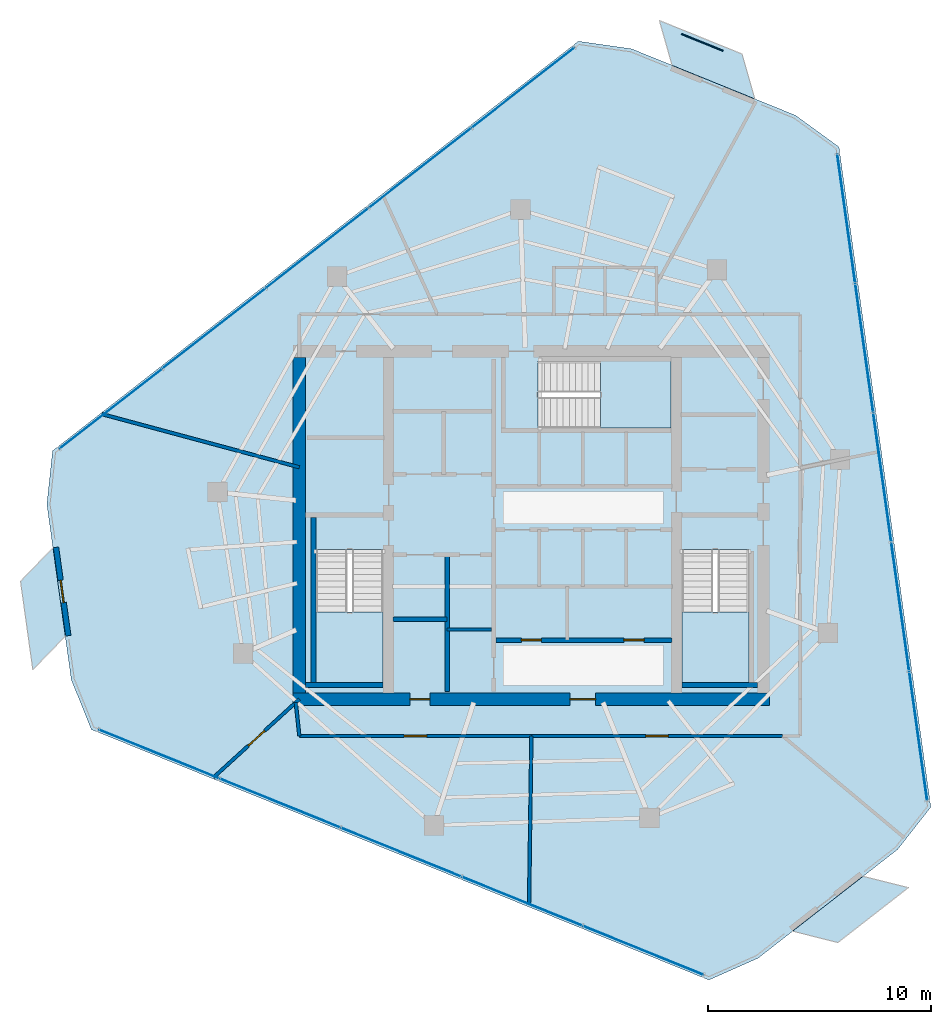
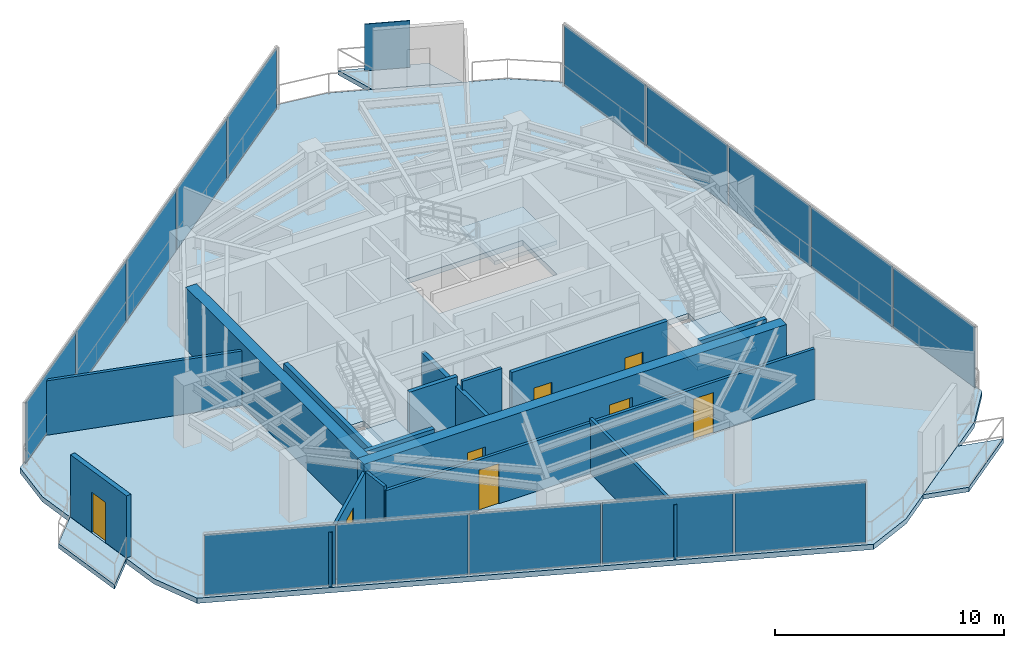
# One storey, part 15 of 19: 16 plates, 16 walls, 8 doors, 7 slabs, 8 openings, 6 elements without a shape of their own.
"""IFC4 building model written with IfcOpenShell, lengths in metres."""

from ifc_helpers import new_model, si_unit, direction, frame, frame_2d, origin, origin_2d, place, context, subcontext, project, spatial, polyline, rectangle, outline, extrude, material, layer, layer_set, type_object, element, fill, aggregate, save


model = new_model("IFC4")

# Units and contexts
model_context = context("Model", 3, precision=1e-05, world=origin(), true_north=direction((0.0, 1.0)))
body_context = subcontext(model_context, "Body", "Model", "MODEL_VIEW")
ifc_project = project(units=[si_unit("LENGTHUNIT", "METRE"), si_unit("AREAUNIT", "SQUARE_METRE"), si_unit("VOLUMEUNIT", "CUBIC_METRE"), si_unit("PLANEANGLEUNIT", "RADIAN"), si_unit("MASSUNIT", "GRAM", prefix="KILO")], contexts=[model_context])

# Site, building, storey
site_placement = place(None, origin())
site = spatial("IfcSite", under=ifc_project, at=site_placement, CompositionType="ELEMENT")
building_placement = place(site_placement, origin())
building = spatial("IfcBuilding", under=site, at=building_placement, Name="Qarnah Convention Tower", CompositionType="ELEMENT")
storey_placement = place(building_placement, frame((0.0, 0.0, 209.39990234375)))
storey = spatial("IfcBuildingStorey", under=building, at=storey_placement, Name="L56", CompositionType="ELEMENT", Elevation=209.39990234375)

# Curtain wall, plates
ifc_material_1 = material(Name="Tempered Low-E dark glass", Category="glass")
ifc_layer_1 = layer(ifc_material_1, 0.174072265625)
ifc_layer_set_1 = layer_set([ifc_layer_1], Name="Tempered Low-E dark glass")
curtain_wall_type = type_object("IfcCurtainWallType", Name="CWS-04", PredefinedType="NOTDEFINED", material=ifc_layer_set_1)
curtain_wall_1_placement = place(storey_placement, origin())
curtain_wall_1 = element("IfcCurtainWall", 1, at=curtain_wall_1_placement, inside=storey, type_object=curtain_wall_type, Name="L56 unitised curtain wall CW-L56-F1", PredefinedType="NOTDEFINED")
ifc_layer_2 = layer(ifc_material_1, 0.033935546875)
ifc_layer_set_2 = layer_set([ifc_layer_2], Name="Tempered Low-E dark glass")
plate_type_1 = type_object("IfcPlateType", Name="PNL-T4", PredefinedType="CURTAIN_PANEL", material=ifc_layer_set_2)
plate_1_placement = place(storey_placement, frame((51.314453125, 40.13671875, 0.0400390625), z_axis=(0.0, 0.0, 1.0), x_axis=(0.13780482888, -0.990459403074, 0.0)))
plate_1 = element("IfcPlate", 2, at=plate_1_placement, type_object=plate_type_1, Name="CW-L56-F1 curtain panel 1.1", PredefinedType="CURTAIN_PANEL", context=body_context, shape_type="SweptSolid", body=[
    extrude(rectangle(XDim=5.774658203125, YDim=0.033935546875, at=origin_2d()), origin(), (0.0, 0.0, 1.0), 3.239990234375),
])
plate_2_placement = place(storey_placement, frame((52.12109375, 34.337890625, 0.0400390625), z_axis=(0.0, 0.0, 1.0), x_axis=(0.13780482888, -0.990459403074, 0.0)))
plate_2 = element("IfcPlate", 3, at=plate_2_placement, type_object=plate_type_1, Name="CW-L56-F1 curtain panel 2.1", PredefinedType="CURTAIN_PANEL", context=body_context, shape_type="SweptSolid", body=[
    extrude(rectangle(XDim=5.774658203125, YDim=0.033935546875, at=origin_2d()), origin(), (0.0, 0.0, 1.0), 3.239990234375),
])
plate_3_placement = place(storey_placement, frame((52.927978515625, 28.5390625, 0.0400390625), z_axis=(0.0, 0.0, 1.0), x_axis=(0.13780482888, -0.990459403074, 0.0)))
plate_3 = element("IfcPlate", 4, at=plate_3_placement, type_object=plate_type_1, Name="CW-L56-F1 curtain panel 3.1", PredefinedType="CURTAIN_PANEL", context=body_context, shape_type="SweptSolid", body=[
    extrude(rectangle(XDim=5.774658203125, YDim=0.033935546875, at=origin_2d()), origin(), (0.0, 0.0, 1.0), 3.239990234375),
])
plate_4_placement = place(storey_placement, frame((53.73486328125, 22.740234375, 0.0400390625), z_axis=(0.0, 0.0, 1.0), x_axis=(0.13780482888, -0.990459403074, 0.0)))
plate_4 = element("IfcPlate", 5, at=plate_4_placement, type_object=plate_type_1, Name="CW-L56-F1 curtain panel 4.1", PredefinedType="CURTAIN_PANEL", context=body_context, shape_type="SweptSolid", body=[
    extrude(rectangle(XDim=5.774658203125, YDim=0.033935546875, at=origin_2d()), origin(), (0.0, 0.0, 1.0), 3.239990234375),
])
plate_5_placement = place(storey_placement, frame((54.54150390625, 16.94140625, 0.0400390625), z_axis=(0.0, 0.0, 1.0), x_axis=(0.13780482888, -0.990459403074, 0.0)))
plate_5 = element("IfcPlate", 6, at=plate_5_placement, type_object=plate_type_1, Name="CW-L56-F1 curtain panel 5.1", PredefinedType="CURTAIN_PANEL", context=body_context, shape_type="SweptSolid", body=[
    extrude(rectangle(XDim=5.774658203125, YDim=0.033935546875, at=origin_2d()), origin(), (0.0, 0.0, 1.0), 3.239990234375),
])
aggregate(curtain_wall_1, [plate_1, plate_2, plate_3, plate_4, plate_5])

curtain_wall_2_placement = place(storey_placement, origin())
curtain_wall_2 = element("IfcCurtainWall", 7, at=curtain_wall_2_placement, inside=storey, type_object=curtain_wall_type, Name="L56 unitised curtain wall CW-L56-F2", PredefinedType="NOTDEFINED")
plate_6_placement = place(storey_placement, frame((42.21240234375, 7.336181640625, 0.0400390625), z_axis=(0.0, 0.0, 1.0), x_axis=(-0.926673035434, 0.375868441612, 0.0)))
plate_6 = element("IfcPlate", 8, at=plate_6_placement, type_object=plate_type_1, Name="CW-L56-F2 curtain panel 1.1", PredefinedType="CURTAIN_PANEL", context=body_context, shape_type="SweptSolid", body=[
    extrude(rectangle(XDim=5.774658203125, YDim=0.033935546875, at=origin_2d()), origin(), (0.0, 0.0, 1.0), 3.239990234375),
])
plate_7_placement = place(storey_placement, frame((36.786865234375, 9.536865234375, 0.0400390625), z_axis=(0.0, 0.0, 1.0), x_axis=(-0.926673035434, 0.375868441612, 0.0)))
plate_7 = element("IfcPlate", 9, at=plate_7_placement, type_object=plate_type_1, Name="CW-L56-F2 curtain panel 2.1", PredefinedType="CURTAIN_PANEL", context=body_context, shape_type="SweptSolid", body=[
    extrude(rectangle(XDim=5.774658203125, YDim=0.033935546875, at=origin_2d()), origin(), (0.0, 0.0, 1.0), 3.239990234375),
])
plate_8_placement = place(storey_placement, frame((31.361572265625, 11.737548828125, 0.0400390625), z_axis=(0.0, 0.0, 1.0), x_axis=(-0.926673035434, 0.375868441612, 0.0)))
plate_8 = element("IfcPlate", 10, at=plate_8_placement, type_object=plate_type_1, Name="CW-L56-F2 curtain panel 3.1", PredefinedType="CURTAIN_PANEL", context=body_context, shape_type="SweptSolid", body=[
    extrude(rectangle(XDim=5.774658203125, YDim=0.033935546875, at=origin_2d()), origin(), (0.0, 0.0, 1.0), 3.239990234375),
])
plate_9_placement = place(storey_placement, frame((25.93603515625, 13.93798828125, 0.0400390625), z_axis=(0.0, 0.0, 1.0), x_axis=(-0.926673035434, 0.375868441612, 0.0)))
plate_9 = element("IfcPlate", 11, at=plate_9_placement, type_object=plate_type_1, Name="CW-L56-F2 curtain panel 4.1", PredefinedType="CURTAIN_PANEL", context=body_context, shape_type="SweptSolid", body=[
    extrude(rectangle(XDim=5.774658203125, YDim=0.033935546875, at=origin_2d()), origin(), (0.0, 0.0, 1.0), 3.239990234375),
])
plate_10_placement = place(storey_placement, frame((20.5107421875, 16.138671875, 0.0400390625), z_axis=(0.0, 0.0, 1.0), x_axis=(-0.926673035434, 0.375868441612, 0.0)))
plate_10 = element("IfcPlate", 12, at=plate_10_placement, type_object=plate_type_1, Name="CW-L56-F2 curtain panel 5.1", PredefinedType="CURTAIN_PANEL", context=body_context, shape_type="SweptSolid", body=[
    extrude(rectangle(XDim=5.774658203125, YDim=0.033935546875, at=origin_2d()), origin(), (0.0, 0.0, 1.0), 3.239990234375),
])
aggregate(curtain_wall_2, [plate_6, plate_7, plate_8, plate_9, plate_10])

curtain_wall_3_placement = place(storey_placement, origin())
curtain_wall_3 = element("IfcCurtainWall", 13, at=curtain_wall_3_placement, inside=storey, type_object=curtain_wall_type, Name="L56 unitised curtain wall CW-L56-F3", PredefinedType="NOTDEFINED")
plate_11_placement = place(storey_placement, frame((18.357421875, 31.6201171875, 0.0400390625), z_axis=(0.0, 0.0, 1.0), x_axis=(0.788875563731, 0.614552963501, 0.0)))
plate_11 = element("IfcPlate", 14, at=plate_11_placement, type_object=plate_type_1, Name="CW-L56-F3 curtain panel 1.1", PredefinedType="CURTAIN_PANEL", context=body_context, shape_type="SweptSolid", body=[
    extrude(rectangle(XDim=5.774658203125, YDim=0.033935546875, at=origin_2d()), origin(), (0.0, 0.0, 1.0), 3.239990234375),
])
plate_12_placement = place(storey_placement, frame((22.975830078125, 35.218017578125, 0.0400390625), z_axis=(0.0, 0.0, 1.0), x_axis=(0.788875563731, 0.614552963501, 0.0)))
plate_12 = element("IfcPlate", 15, at=plate_12_placement, type_object=plate_type_1, Name="CW-L56-F3 curtain panel 2.1", PredefinedType="CURTAIN_PANEL", context=body_context, shape_type="SweptSolid", body=[
    extrude(rectangle(XDim=5.774658203125, YDim=0.033935546875, at=origin_2d()), origin(), (0.0, 0.0, 1.0), 3.239990234375),
])
plate_13_placement = place(storey_placement, frame((27.594482421875, 38.81591796875, 0.0400390625), z_axis=(0.0, 0.0, 1.0), x_axis=(0.788875563731, 0.614552963501, 0.0)))
plate_13 = element("IfcPlate", 16, at=plate_13_placement, type_object=plate_type_1, Name="CW-L56-F3 curtain panel 3.1", PredefinedType="CURTAIN_PANEL", context=body_context, shape_type="SweptSolid", body=[
    extrude(rectangle(XDim=5.774658203125, YDim=0.033935546875, at=origin_2d()), origin(), (0.0, 0.0, 1.0), 3.239990234375),
])
plate_14_placement = place(storey_placement, frame((32.213134765625, 42.4140625, 0.0400390625), z_axis=(0.0, 0.0, 1.0), x_axis=(0.788875563731, 0.614552963501, 0.0)))
plate_14 = element("IfcPlate", 17, at=plate_14_placement, type_object=plate_type_1, Name="CW-L56-F3 curtain panel 4.1", PredefinedType="CURTAIN_PANEL", context=body_context, shape_type="SweptSolid", body=[
    extrude(rectangle(XDim=5.774658203125, YDim=0.033935546875, at=origin_2d()), origin(), (0.0, 0.0, 1.0), 3.239990234375),
])
plate_15_placement = place(storey_placement, frame((36.831787109375, 46.011962890625, 0.0400390625), z_axis=(0.0, 0.0, 1.0), x_axis=(0.788875563731, 0.614552963501, 0.0)))
plate_15 = element("IfcPlate", 18, at=plate_15_placement, type_object=plate_type_1, Name="CW-L56-F3 curtain panel 5.1", PredefinedType="CURTAIN_PANEL", context=body_context, shape_type="SweptSolid", body=[
    extrude(rectangle(XDim=5.774658203125, YDim=0.033935546875, at=origin_2d()), origin(), (0.0, 0.0, 1.0), 3.239990234375),
])
aggregate(curtain_wall_3, [plate_11, plate_12, plate_13, plate_14, plate_15])

# Plate
ifc_material_2 = material(Name="Black anodised aluminium", Category="aluminium")
ifc_layer_3 = layer(ifc_material_2, 0.044921875)
ifc_layer_set_3 = layer_set([ifc_layer_3], Name="Black anodised aluminium")
plate_type_2 = type_object("IfcPlateType", Name="SCR-BAL-18", PredefinedType="USERDEFINED", material=ifc_layer_set_3)
plate_16_placement = place(storey_placement, frame((44.85498046875, 48.0380859375, 0.0), z_axis=(0.0, 0.0, 1.0), x_axis=(0.92672483863, -0.375740699773, 0.0)))
element("IfcPlate", 19, at=plate_16_placement, inside=storey, type_object=plate_type_2, Name="L56 perforated desert solar screen BAL-L56-C1", ObjectType="SCREEN", PredefinedType="USERDEFINED", context=body_context, shape_type="SweptSolid", body=[
    extrude(rectangle(XDim=2.0, YDim=0.044921875, at=origin_2d()), origin(), (0.0, 0.0, 1.0), 2.5),
])

# Slabs
ifc_material_3 = material(Name="Concrete C45/55", Category="concrete")
ifc_layer_4 = layer(ifc_material_3, 0.239990234375)
ifc_layer_set_4 = layer_set([ifc_layer_4], Name="Concrete C45/55")
slab_type_1 = type_object("IfcSlabType", Name="SLB-BAL-240", PredefinedType="USERDEFINED", material=ifc_layer_set_4)
slab_1_placement = place(storey_placement, frame((0.0, 0.0, -0.239990234375)))
element("IfcSlab", 20, at=slab_1_placement, inside=storey, type_object=slab_type_1, Name="L56 cantilevered balcony slab BAL-L56-C1", ObjectType="BALCONY", PredefinedType="USERDEFINED", context=body_context, shape_type="SweptSolid", body=[
    extrude(outline(polyline([(42.93603515625, 49.02001953125), (46.64306640625, 47.51708984375), (47.217041015625, 45.50390625), (43.510009765625, 47.008056640625), (42.93603515625, 49.02001953125)])), origin(), (0.0, 0.0, 1.0), 0.239990234375),
])
slab_2_placement = place(storey_placement, frame((0.0, 0.0, -0.239990234375)))
element("IfcSlab", 21, at=slab_2_placement, inside=storey, type_object=slab_type_1, Name="L56 cantilevered balcony slab BAL-L56-C2", ObjectType="BALCONY", PredefinedType="USERDEFINED", context=body_context, shape_type="SweptSolid", body=[
    extrude(outline(polyline([(14.85302734375, 19.9208984375), (14.302001953125, 23.883056640625), (15.758056640625, 25.385986328125), (16.30908203125, 21.424072265625), (14.85302734375, 19.9208984375)])), origin(), (0.0, 0.0, 1.0), 0.239990234375),
])
slab_3_placement = place(storey_placement, frame((0.0, 0.0, -0.239990234375)))
element("IfcSlab", 22, at=slab_3_placement, inside=storey, type_object=slab_type_1, Name="L56 cantilevered balcony slab BAL-L56-C3", ObjectType="BALCONY", PredefinedType="USERDEFINED", context=body_context, shape_type="SweptSolid", body=[
    extrude(outline(polyline([(54.094970703125, 10.14990234375), (50.93994140625, 7.69189453125), (48.909912109375, 8.201904296875), (52.06591796875, 10.659912109375), (54.094970703125, 10.14990234375)])), origin(), (0.0, 0.0, 1.0), 0.239990234375),
])

# Stair, slab
ifc_material_4 = material(Name="Concrete C50/60", Category="concrete")
stair_type = type_object("IfcStairType", Name="STR-OFF", PredefinedType="HALF_TURN_STAIR", material=ifc_material_4)
stair_1_placement = place(storey_placement, origin())
stair_1 = element("IfcStair", 23, at=stair_1_placement, inside=storey, type_object=stair_type, Name="L56 Core exit stair ST-1", PredefinedType="HALF_TURN_STAIR")
ifc_layer_5 = layer(ifc_material_4, 0.199951171875)
ifc_layer_set_5 = layer_set([ifc_layer_5], Name="Concrete C50/60")
slab_type_2 = type_object("IfcSlabType", Name="SLB-LANDING-200", PredefinedType="LANDING", material=ifc_layer_set_5)
slab_4_placement = place(storey_placement, frame((0.0, 0.0, 1.60009765625)))
slab_4 = element("IfcSlab", 24, at=slab_4_placement, type_object=slab_type_2, Name="ST-1 landing 1", PredefinedType="LANDING", context=body_context, shape_type="SweptSolid", body=[
    extrude(outline(polyline([(27.550048828125, 22.5), (27.550048828125, 19.35009765625), (30.550048828125, 19.35009765625), (30.550048828125, 22.5), (27.550048828125, 22.5)])), origin(), (0.0, 0.0, 1.0), 0.199951171875),
])
aggregate(stair_1, [slab_4])

stair_2_placement = place(storey_placement, origin())
stair_2 = element("IfcStair", 25, at=stair_2_placement, inside=storey, type_object=stair_type, Name="L56 Core exit stair ST-2", PredefinedType="HALF_TURN_STAIR")
slab_5_placement = place(storey_placement, frame((0.0, 0.0, 1.60009765625)))
slab_5 = element("IfcSlab", 26, at=slab_5_placement, type_object=slab_type_2, Name="ST-2 landing 1", PredefinedType="LANDING", context=body_context, shape_type="SweptSolid", body=[
    extrude(outline(polyline([(43.949951171875, 22.5), (43.949951171875, 19.35009765625), (46.949951171875, 19.35009765625), (46.949951171875, 22.5), (43.949951171875, 22.5)])), origin(), (0.0, 0.0, 1.0), 0.199951171875),
])
aggregate(stair_2, [slab_5])

stair_3_placement = place(storey_placement, origin())
stair_3 = element("IfcStair", 27, at=stair_3_placement, inside=storey, type_object=stair_type, Name="L56 Core exit stair ST-3", PredefinedType="HALF_TURN_STAIR")
slab_6_placement = place(storey_placement, frame((0.0, 0.0, 1.60009765625)))
slab_6 = element("IfcSlab", 28, at=slab_6_placement, type_object=slab_type_2, Name="ST-3 landing 1", PredefinedType="LANDING", context=body_context, shape_type="SweptSolid", body=[
    extrude(outline(polyline([(40.300048828125, 30.75), (43.449951171875, 30.75), (43.449951171875, 33.75), (40.300048828125, 33.75), (40.300048828125, 30.75)])), origin(), (0.0, 0.0, 1.0), 0.199951171875),
])
aggregate(stair_3, [slab_6])

# Slab
ifc_layer_6 = layer(ifc_material_3, 0.280029296875)
ifc_layer_set_6 = layer_set([ifc_layer_6], Name="Concrete C45/55")
slab_type_3 = type_object("IfcSlabType", Name="SLB-TWR-280", PredefinedType="FLOOR", material=ifc_layer_set_6)
slab_7_placement = place(storey_placement, frame((0.0, 0.0, -0.27978515625)))
element("IfcSlab", 29, at=slab_7_placement, inside=storey, type_object=slab_type_3, Name="L56 structural floor slab", PredefinedType="FLOOR", context=body_context, shape_type="SweptSolid", body=[
    extrude(outline(polyline([(39.303955078125, 48.090087890625), (15.738037109375, 29.73095703125), (15.48291015625, 27.3349609375), (16.575927734375, 19.47607421875), (17.47509765625, 17.240966796875), (45.157958984375, 6.011962890625), (47.360107421875, 6.989013671875), (53.6201171875, 11.864990234375), (55.10498046875, 13.760986328125), (50.989013671875, 43.35009765625), (49.0419921875, 44.76806640625), (41.68896484375, 47.7509765625), (39.303955078125, 48.090087890625)]), holes=[polyline([(27.550048828125, 25.300048828125), (27.550048828125, 19.35009765625), (30.550048828125, 19.35009765625), (30.550048828125, 25.300048828125), (27.550048828125, 25.300048828125)]), polyline([(43.949951171875, 25.300048828125), (43.949951171875, 19.35009765625), (46.949951171875, 19.35009765625), (46.949951171875, 25.300048828125), (43.949951171875, 25.300048828125)]), polyline([(37.5, 30.75), (43.449951171875, 30.75), (43.449951171875, 33.75), (37.5, 33.75), (37.5, 30.75)])]), origin(), (0.0, 0.0, 1.0), 0.27978515625),
])

# Wall, openings, doors
ifc_material_5 = material(Name="Concrete C60/75", Category="concrete")
ifc_layer_7 = layer(ifc_material_5, 0.550048828125)
ifc_layer_set_7 = layer_set([ifc_layer_7], Name="Concrete C60/75")
wall_type_1 = type_object("IfcWallType", Name="WL-CORE-550", PredefinedType="SHEAR", material=ifc_layer_set_7)
wall_1_placement = place(storey_placement, frame((26.52490234375, 18.60009765625, 0.0), z_axis=(0.0, 0.0, 1.0), x_axis=(1.0, 0.0, 0.0)))
wall_1 = element("IfcWall", 30, at=wall_1_placement, inside=storey, type_object=wall_type_1, Name="L56 core south shear wall", PredefinedType="SHEAR", context=body_context, shape_type="SweptSolid", body=[
    extrude(rectangle(XDim=21.35009765625, YDim=0.550048828125, at=frame_2d((10.675048828125, 0.0))), origin(), (0.0, 0.0, 1.0), 3.320068359375),
])
opening_1_placement = place(wall_1_placement, frame((12.39990234375, 0.0, 0.0)))
opening_1 = element("IfcOpeningElement", 31, at=opening_1_placement, cuts=wall_1, Name="Opening D-5607", PredefinedType="OPENING", context=body_context, shape_type="SweptSolid", body=[
    extrude(rectangle(XDim=1.14990234375, YDim=2.14990234375, at=frame_2d((0.574951171875, 1.074951171875))), frame((0.0, 0.284912109375, 0.0), z_axis=(0.0, -1.0, 0.0), x_axis=(1.0, 0.0, 0.0)), (0.0, 0.0, 1.0), 0.570068359375),
])
opening_2_placement = place(wall_1_placement, frame((5.22509765625, 0.0, 0.0)))
opening_2 = element("IfcOpeningElement", 32, at=opening_2_placement, cuts=wall_1, Name="Opening D-5613", PredefinedType="OPENING", context=body_context, shape_type="SweptSolid", body=[
    extrude(rectangle(XDim=0.89990234375, YDim=2.10009765625, at=frame_2d((0.449951171875, 1.050048828125))), frame((0.0, 0.284912109375, 0.0), z_axis=(0.0, -1.0, 0.0), x_axis=(1.0, 0.0, 0.0)), (0.0, 0.0, 1.0), 0.570068359375),
])
ifc_material_6 = material(Name="Structural steel S355JR", Category="steel")
door_type_1 = type_object("IfcDoorType", Name="DT-LOBBY-1150", OperationType="NOTDEFINED", PredefinedType="DOOR", material=ifc_material_6)
door_1_placement = place(opening_1_placement, origin())
door_1 = element("IfcDoor", 33, at=door_1_placement, inside=storey, type_object=door_type_1, Name="Door D-5607", OperationType="SINGLE_SWING_LEFT", OverallHeight=2.14990234375, OverallWidth=1.14990234375, PredefinedType="DOOR", context=body_context, shape_type="SweptSolid", body=[
    extrude(rectangle(XDim=1.14990234375, YDim=2.14990234375, at=frame_2d((0.574951171875, 1.074951171875))), frame((0.0, 0.02490234375, 0.0), z_axis=(0.0, -1.0, 0.0), x_axis=(1.0, 0.0, 0.0)), (0.0, 0.0, 1.0), 0.050048828125),
])
fill(opening_1, door_1)
door_type_2 = type_object("IfcDoorType", Name="DT-RISER-900", OperationType="NOTDEFINED", PredefinedType="DOOR", material=ifc_material_6)
door_2_placement = place(opening_2_placement, origin())
door_2 = element("IfcDoor", 34, at=door_2_placement, inside=storey, type_object=door_type_2, Name="Door D-5613", OperationType="SINGLE_SWING_LEFT", OverallHeight=2.10009765625, OverallWidth=0.89990234375, PredefinedType="DOOR", context=body_context, shape_type="SweptSolid", body=[
    extrude(rectangle(XDim=0.89990234375, YDim=2.10009765625, at=frame_2d((0.449951171875, 1.050048828125))), frame((0.0, 0.02490234375, 0.0), z_axis=(0.0, -1.0, 0.0), x_axis=(1.0, 0.0, 0.0)), (0.0, 0.0, 1.0), 0.050048828125),
])
fill(opening_2, door_2)

# Walls
wall_2_placement = place(storey_placement, frame((26.800048828125, 18.875, 0.0), z_axis=(0.0, 0.0, 1.0), x_axis=(0.0, 1.0, 0.0)))
element("IfcWall", 35, at=wall_2_placement, inside=storey, type_object=wall_type_1, Name="L56 core west shear wall", PredefinedType="SHEAR", context=body_context, shape_type="SweptSolid", body=[
    extrude(rectangle(XDim=15.050048828125, YDim=0.550048828125, at=frame_2d((7.52490234375, 0.0))), origin(), (0.0, 0.0, 1.0), 3.320068359375),
])
ifc_layer_8 = layer(ifc_material_3, 0.199951171875)
ifc_layer_set_8 = layer_set([ifc_layer_8], Name="Concrete C45/55")
wall_type_2 = type_object("IfcWallType", Name="WL-CORE-PART-200", PredefinedType="SOLIDWALL", material=ifc_layer_set_8)
wall_3_placement = place(storey_placement, frame((33.419921875, 18.949951171875, 0.0), z_axis=(0.0, 0.0, 1.0), x_axis=(0.0, 1.0, 0.0)))
element("IfcWall", 36, at=wall_3_placement, inside=storey, type_object=wall_type_2, Name="L56 interior wall IW-L56-SVLE", PredefinedType="SOLIDWALL", context=body_context, shape_type="SweptSolid", body=[
    extrude(rectangle(XDim=6.130126953125, YDim=0.199951171875, at=frame_2d((3.06494140625, 0.0))), origin(), (0.0, 0.0, 1.0), 2.841064453125),
])
wall_4_placement = place(storey_placement, frame((31.0, 22.179931640625, 0.0), z_axis=(0.0, 0.0, 1.0), x_axis=(1.0, 0.0, 0.0)))
element("IfcWall", 37, at=wall_4_placement, inside=storey, type_object=wall_type_2, Name="L56 interior wall IW-L56-SVLS", PredefinedType="SOLIDWALL", context=body_context, shape_type="SweptSolid", body=[
    extrude(rectangle(XDim=2.419921875, YDim=0.199951171875, at=frame_2d((1.2099609375, 0.0))), origin(), (0.0, 0.0, 1.0), 3.320068359375),
])

# Wall, openings, doors
wall_5_placement = place(storey_placement, frame((35.6201171875, 21.25, 0.0), z_axis=(0.0, 0.0, 1.0), x_axis=(1.0, 0.0, 0.0)))
wall_5 = element("IfcWall", 38, at=wall_5_placement, inside=storey, type_object=wall_type_2, Name="L56 interior wall IW-L56-PLS", PredefinedType="SOLIDWALL", context=body_context, shape_type="SweptSolid", body=[
    extrude(rectangle(XDim=7.8798828125, YDim=0.199951171875, at=frame_2d((3.93994140625, 0.0))), origin(), (0.0, 0.0, 1.0), 3.320068359375),
])
opening_3_placement = place(wall_5_placement, frame((1.1298828125, 0.0, 0.0)))
opening_3 = element("IfcOpeningElement", 39, at=opening_3_placement, cuts=wall_5, Name="Opening D-5616", PredefinedType="OPENING", context=body_context, shape_type="SweptSolid", body=[
    extrude(rectangle(XDim=0.89990234375, YDim=2.10009765625, at=frame_2d((0.449951171875, 1.050048828125))), frame((0.0, 0.10986328125, 0.0), z_axis=(0.0, -1.0, 0.0), x_axis=(1.0, 0.0, 0.0)), (0.0, 0.0, 1.0), 0.219970703125),
])
opening_4_placement = place(wall_5_placement, frame((5.72998046875, 0.0, 0.0)))
opening_4 = element("IfcOpeningElement", 40, at=opening_4_placement, cuts=wall_5, Name="Opening D-5617", PredefinedType="OPENING", context=body_context, shape_type="SweptSolid", body=[
    extrude(rectangle(XDim=0.89990234375, YDim=2.10009765625, at=frame_2d((0.449951171875, 1.050048828125))), frame((0.0, 0.10986328125, 0.0), z_axis=(0.0, -1.0, 0.0), x_axis=(1.0, 0.0, 0.0)), (0.0, 0.0, 1.0), 0.219970703125),
])
door_3_placement = place(opening_3_placement, origin())
door_3 = element("IfcDoor", 41, at=door_3_placement, inside=storey, type_object=door_type_2, Name="Door D-5616", OperationType="SINGLE_SWING_RIGHT", OverallHeight=2.10009765625, OverallWidth=0.89990234375, PredefinedType="DOOR", context=body_context, shape_type="SweptSolid", body=[
    extrude(rectangle(XDim=0.89990234375, YDim=2.10009765625, at=frame_2d((0.449951171875, 1.050048828125))), frame((0.0, 0.02490234375, 0.0), z_axis=(0.0, -1.0, 0.0), x_axis=(1.0, 0.0, 0.0)), (0.0, 0.0, 1.0), 0.050048828125),
])
fill(opening_3, door_3)
door_4_placement = place(opening_4_placement, origin())
door_4 = element("IfcDoor", 42, at=door_4_placement, inside=storey, type_object=door_type_2, Name="Door D-5617", OperationType="SINGLE_SWING_LEFT", OverallHeight=2.10009765625, OverallWidth=0.89990234375, PredefinedType="DOOR", context=body_context, shape_type="SweptSolid", body=[
    extrude(rectangle(XDim=0.89990234375, YDim=2.10009765625, at=frame_2d((0.449951171875, 1.050048828125))), frame((0.0, 0.02490234375, 0.0), z_axis=(0.0, -1.0, 0.0), x_axis=(1.0, 0.0, 0.0)), (0.0, 0.0, 1.0), 0.050048828125),
])
fill(opening_4, door_4)

# Walls
ifc_layer_9 = layer(ifc_material_5, 0.219970703125)
ifc_layer_set_9 = layer_set([ifc_layer_9], Name="Concrete C60/75")
wall_type_3 = type_object("IfcWallType", Name="WL-CORE-STAIR-220", PredefinedType="SHEAR", material=ifc_layer_set_9)
wall_6_placement = place(storey_placement, frame((27.43994140625, 19.35009765625, 0.0), z_axis=(0.0, 0.0, 1.0), x_axis=(0.0, 1.0, 0.0)))
element("IfcWall", 43, at=wall_6_placement, inside=storey, type_object=wall_type_3, Name="L56 stair shaft shear wall SW-L56-ST1W", PredefinedType="SHEAR", context=body_context, shape_type="SweptSolid", body=[
    extrude(rectangle(XDim=7.39990234375, YDim=0.219970703125, at=frame_2d((3.699951171875, 0.0))), origin(), (0.0, 0.0, 1.0), 3.320068359375),
])
wall_7_placement = place(storey_placement, frame((27.074951171875, 19.239990234375, 0.0), z_axis=(0.0, 0.0, 1.0), x_axis=(1.0, 0.0, 0.0)))
element("IfcWall", 44, at=wall_7_placement, inside=storey, type_object=wall_type_3, Name="L56 stair shaft shear wall SW-L56-ST1S", PredefinedType="SHEAR", context=body_context, shape_type="SweptSolid", body=[
    extrude(rectangle(XDim=3.47509765625, YDim=0.219970703125, at=frame_2d((1.737548828125, 0.0))), origin(), (0.0, 0.0, 1.0), 3.320068359375),
])
wall_8_placement = place(storey_placement, frame((43.949951171875, 19.239990234375, 0.0), z_axis=(0.0, 0.0, 1.0), x_axis=(1.0, 0.0, 0.0)))
element("IfcWall", 45, at=wall_8_placement, inside=storey, type_object=wall_type_3, Name="L56 stair shaft shear wall SW-L56-ST2S", PredefinedType="SHEAR", context=body_context, shape_type="SweptSolid", body=[
    extrude(rectangle(XDim=3.375, YDim=0.219970703125, at=frame_2d((1.6875, 0.0))), origin(), (0.0, 0.0, 1.0), 3.320068359375),
])

# Wall, opening, door
ifc_material_7 = material(Name="Precast concrete C45/55", Category="concrete")
ifc_layer_10 = layer(ifc_material_7, 0.239990234375)
ifc_layer_set_10 = layer_set([ifc_layer_10], Name="Precast concrete C45/55")
wall_type_4 = type_object("IfcWallType", Name="WL-EXT-BAL-240", PredefinedType="SOLIDWALL", material=ifc_layer_set_10)
wall_9_placement = place(storey_placement, frame((16.444091796875, 21.444091796875, 0.0), z_axis=(0.0, 0.0, 1.0), x_axis=(-0.137754660087, 0.990466381875, 0.0)))
wall_9 = element("IfcWall", 46, at=wall_9_placement, inside=storey, type_object=wall_type_4, Name="L56 loggia threshold wall BAL-L56-C2", PredefinedType="SOLIDWALL", context=body_context, shape_type="SweptSolid", body=[
    extrude(rectangle(XDim=4.0, YDim=0.239990234375, at=frame_2d((2.0, 0.0))), origin(), (0.0, 0.0, 1.0), 3.320068359375),
])
opening_5_placement = place(wall_9_placement, frame((1.5, 0.0, 0.0)))
opening_5 = element("IfcOpeningElement", 47, at=opening_5_placement, cuts=wall_9, Name="Opening BD-5602", PredefinedType="OPENING", context=body_context, shape_type="SweptSolid", body=[
    extrude(rectangle(XDim=1.0, YDim=2.14990234375, at=frame_2d((0.5, 1.074951171875))), frame((0.0, 0.1298828125, 0.0), z_axis=(0.0, -1.0, 0.0), x_axis=(1.0, 0.0, 0.0)), (0.0, 0.0, 1.0), 0.260009765625),
])
door_type_3 = type_object("IfcDoorType", Name="DT-BAL-1000", OperationType="NOTDEFINED", PredefinedType="DOOR", material=ifc_material_2)
door_5_placement = place(opening_5_placement, origin())
door_5 = element("IfcDoor", 48, at=door_5_placement, inside=storey, type_object=door_type_3, Name="L56 balcony terrace door BAL-L56-C2", OperationType="SINGLE_SWING_RIGHT", OverallHeight=2.14990234375, OverallWidth=1.0, PredefinedType="DOOR", context=body_context, shape_type="SweptSolid", body=[
    extrude(rectangle(XDim=1.0, YDim=2.14990234375, at=frame_2d((0.5, 1.074951171875))), frame((0.0, 0.02490234375, 0.0), z_axis=(0.0, -1.0, 0.0), x_axis=(1.0, 0.0, 0.0)), (0.0, 0.0, 1.0), 0.050048828125),
])
fill(opening_5, door_5)

# Walls
ifc_material_8 = material(Name="Gypsum partition board")
ifc_layer_11 = layer(ifc_material_8, 0.14990234375)
ifc_layer_set_11 = layer_set([ifc_layer_11], Name="Gypsum partition board")
wall_type_5 = type_object("IfcWallType", Name="WL-SUITE-150", PredefinedType="PARTITIONING", material=ifc_layer_set_11)
wall_10_placement = place(storey_placement, frame((33.419921875, 21.719970703125, 0.0), z_axis=(0.0, 0.0, 1.0), x_axis=(1.0, 0.0, 0.0)))
element("IfcWall", 49, at=wall_10_placement, inside=storey, type_object=wall_type_5, Name="L56 interior wall IW-L56-CSV1", PredefinedType="PARTITIONING", context=body_context, shape_type="SweptSolid", body=[
    extrude(rectangle(XDim=2.0, YDim=0.14990234375, at=frame_2d((1.0, 0.0))), origin(), (0.0, 0.0, 1.0), 3.320068359375),
])
wall_11_placement = place(storey_placement, frame((17.951904296875, 31.3759765625, 0.0), z_axis=(0.0, 0.0, 1.0), x_axis=(0.965592088272, -0.260061375576, 0.0)))
element("IfcWall", 50, at=wall_11_placement, inside=storey, type_object=wall_type_5, Name="L56 interior wall IW-L56-R-16", PredefinedType="PARTITIONING", context=body_context, shape_type="SweptSolid", body=[
    extrude(rectangle(XDim=9.163330078125, YDim=0.14990234375, at=frame_2d((4.58154296875, 0.0))), origin(), (0.0, 0.0, 1.0), 2.905029296875),
])

# Wall, opening, door
wall_12_placement = place(storey_placement, frame((22.955078125, 15.093994140625, 0.0), z_axis=(0.0, 0.0, 1.0), x_axis=(0.738918055368, 0.673795300853, 0.0)))
wall_12 = element("IfcWall", 51, at=wall_12_placement, inside=storey, type_object=wall_type_5, Name="L56 interior wall IW-L56-R-19", PredefinedType="PARTITIONING", context=body_context, shape_type="SweptSolid", body=[
    extrude(rectangle(XDim=5.20361328125, YDim=0.14990234375, at=frame_2d((2.601806640625, 0.0))), origin(), (0.0, 0.0, 1.0), 2.905029296875),
])
opening_6_placement = place(wall_12_placement, frame((2.10205078125, 0.0, 0.0)))
opening_6 = element("IfcOpeningElement", 52, at=opening_6_placement, cuts=wall_12, Name="Opening D-5623", PredefinedType="OPENING", context=body_context, shape_type="SweptSolid", body=[
    extrude(rectangle(XDim=1.0, YDim=2.14990234375, at=frame_2d((0.5, 1.074951171875))), frame((0.0, 0.0849609375, 0.0), z_axis=(0.0, -1.0, 0.0), x_axis=(1.0, 0.0, 0.0)), (0.0, 0.0, 1.0), 0.169921875),
])
ifc_material_9 = material(Name="Oak timber veneer", Category="wood")
door_type_4 = type_object("IfcDoorType", Name="DT-OFFICE-1000", OperationType="NOTDEFINED", PredefinedType="DOOR", material=ifc_material_9)
door_6_placement = place(opening_6_placement, origin())
door_6 = element("IfcDoor", 53, at=door_6_placement, inside=storey, type_object=door_type_4, Name="Door D-5623", OperationType="SINGLE_SWING_LEFT", OverallHeight=2.14990234375, OverallWidth=1.0, PredefinedType="DOOR", context=body_context, shape_type="SweptSolid", body=[
    extrude(rectangle(XDim=1.0, YDim=2.14990234375, at=frame_2d((0.5, 1.074951171875))), frame((0.0, 0.02490234375, 0.0), z_axis=(0.0, -1.0, 0.0), x_axis=(1.0, 0.0, 0.0)), (0.0, 0.0, 1.0), 0.050048828125),
])
fill(opening_6, door_6)

# Wall
wall_13_placement = place(storey_placement, frame((37.094970703125, 9.363037109375, 0.0), z_axis=(0.0, 0.0, 1.0), x_axis=(0.013835720208, 0.999904281842, 0.0)))
element("IfcWall", 54, at=wall_13_placement, inside=storey, type_object=wall_type_5, Name="L56 interior wall IW-L56-R-20", PredefinedType="PARTITIONING", context=body_context, shape_type="SweptSolid", body=[
    extrude(rectangle(XDim=7.587646484375, YDim=0.14990234375, at=frame_2d((3.7939453125, 0.0))), origin(), (0.0, 0.0, 1.0), 2.905029296875),
])

# Wall, opening, door
wall_14_placement = place(storey_placement, frame((37.199951171875, 16.949951171875, 0.0), z_axis=(0.0, 0.0, 1.0), x_axis=(-1.0, 0.0, 0.0)))
wall_14 = element("IfcWall", 55, at=wall_14_placement, inside=storey, type_object=wall_type_5, Name="L56 interior wall IW-L56-R-21", PredefinedType="PARTITIONING", context=body_context, shape_type="SweptSolid", body=[
    extrude(rectangle(XDim=10.39990234375, YDim=0.14990234375, at=frame_2d((5.199951171875, 0.0))), origin(), (0.0, 0.0, 1.0), 2.697021484375),
])
opening_7_placement = place(wall_14_placement, frame((4.699951171875, 0.0, 0.0)))
opening_7 = element("IfcOpeningElement", 56, at=opening_7_placement, cuts=wall_14, Name="Opening D-5624", PredefinedType="OPENING", context=body_context, shape_type="SweptSolid", body=[
    extrude(rectangle(XDim=1.0, YDim=2.14990234375, at=frame_2d((0.5, 1.074951171875))), frame((0.0, 0.0849609375, 0.0), z_axis=(0.0, -1.0, 0.0), x_axis=(1.0, 0.0, 0.0)), (0.0, 0.0, 1.0), 0.169921875),
])
door_7_placement = place(opening_7_placement, origin())
door_7 = element("IfcDoor", 57, at=door_7_placement, inside=storey, type_object=door_type_4, Name="Door D-5624", OperationType="SINGLE_SWING_RIGHT", OverallHeight=2.14990234375, OverallWidth=1.0, PredefinedType="DOOR", context=body_context, shape_type="SweptSolid", body=[
    extrude(rectangle(XDim=1.0, YDim=2.14990234375, at=frame_2d((0.5, 1.074951171875))), frame((0.0, 0.02490234375, 0.0), z_axis=(0.0, -1.0, 0.0), x_axis=(1.0, 0.0, 0.0)), (0.0, 0.0, 1.0), 0.050048828125),
])
fill(opening_7, door_7)

# Wall
wall_15_placement = place(storey_placement, frame((26.800048828125, 16.949951171875, 0.0), z_axis=(0.0, 0.0, 1.0), x_axis=(-0.107309146026, 0.994225702333, 0.0)))
element("IfcWall", 58, at=wall_15_placement, inside=storey, type_object=wall_type_5, Name="L56 interior wall IW-L56-R-22", PredefinedType="PARTITIONING", context=body_context, shape_type="SweptSolid", body=[
    extrude(rectangle(XDim=1.5107421875, YDim=0.14990234375, at=frame_2d((0.75537109375, 0.0))), origin(), (0.0, 0.0, 1.0), 2.905029296875),
])

# Wall, opening, door
wall_16_placement = place(storey_placement, frame((48.4619140625, 16.949951171875, 0.0), z_axis=(0.0, 0.0, 1.0), x_axis=(-1.0, 0.0, 0.0)))
wall_16 = element("IfcWall", 59, at=wall_16_placement, inside=storey, type_object=wall_type_5, Name="L56 interior wall IW-L56-R-24", PredefinedType="PARTITIONING", context=body_context, shape_type="SweptSolid", body=[
    extrude(rectangle(XDim=11.261962890625, YDim=0.14990234375, at=frame_2d((5.630859375, 0.0))), origin(), (0.0, 0.0, 1.0), 2.697021484375),
])
opening_8_placement = place(wall_16_placement, frame((5.131103515625, 0.0, 0.0)))
opening_8 = element("IfcOpeningElement", 60, at=opening_8_placement, cuts=wall_16, Name="Opening D-5625", PredefinedType="OPENING", context=body_context, shape_type="SweptSolid", body=[
    extrude(rectangle(XDim=1.0, YDim=2.14990234375, at=frame_2d((0.5, 1.074951171875))), frame((0.0, 0.0849609375, 0.0), z_axis=(0.0, -1.0, 0.0), x_axis=(1.0, 0.0, 0.0)), (0.0, 0.0, 1.0), 0.169921875),
])
door_8_placement = place(opening_8_placement, origin())
door_8 = element("IfcDoor", 61, at=door_8_placement, inside=storey, type_object=door_type_4, Name="Door D-5625", OperationType="SINGLE_SWING_LEFT", OverallHeight=2.14990234375, OverallWidth=1.0, PredefinedType="DOOR", context=body_context, shape_type="SweptSolid", body=[
    extrude(rectangle(XDim=1.0, YDim=2.14990234375, at=frame_2d((0.5, 1.074951171875))), frame((0.0, 0.02490234375, 0.0), z_axis=(0.0, -1.0, 0.0), x_axis=(1.0, 0.0, 0.0)), (0.0, 0.0, 1.0), 0.050048828125),
])
fill(opening_8, door_8)

save(model, "model.ifc")
